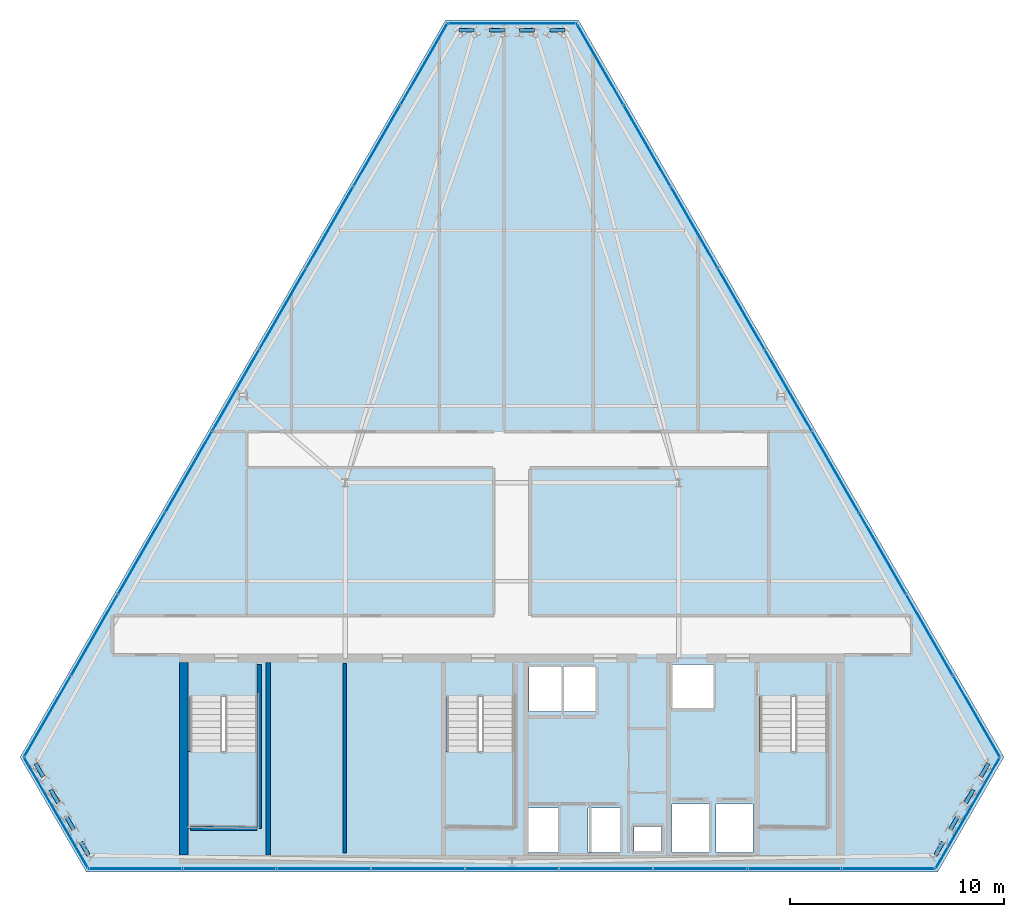
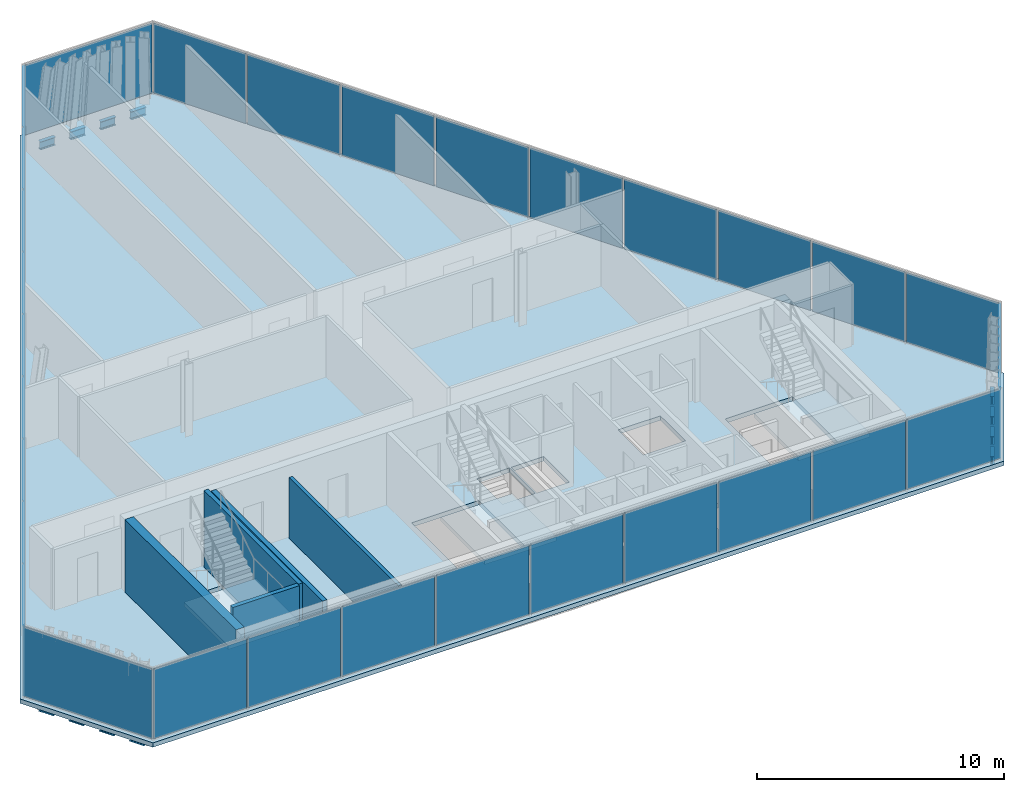
# One storey, part 26 of 32: 30 plates, 12 beams, 5 walls, 4 slabs, 9 elements without a shape of their own.
"""IFC4 building model written with IfcOpenShell, lengths in metres."""

import ifcopenshell
import ifcopenshell.guid

model = None  # the IFC model being written
_history = None  # IfcOwnerHistory: only IFC2X3 demands one
_inside = {}  # id of a spatial element -> (the spatial element, [elements in it])
_under = {}  # id of a project, library or spatial element -> (it, [spatial elements below it])
_declared = {}  # id of a project -> (the project, [libraries it declares])
_typed = {}  # id of a type object -> (the type object, [elements of that type])
_made_of = {}  # id of a material, layer set ... -> (it, [elements and type objects made of it])


def new_model(schema):
    """Start an empty IFC model of exactly this schema.

    Asked for "IFC4X3", IfcOpenShell would pick the latest addendum, in which some entities
    have other attributes; the version numbers below select the first issue.
    IFC2X3 requires an IfcOwnerHistory on every rooted entity: one is made here for all.
    """
    global model, _history
    if schema == "IFC4X3":
        model = ifcopenshell.file(schema_version=(4, 3, 0, 0))
    else:
        model = ifcopenshell.file(schema=schema)
    _inside.clear()
    _under.clear()
    _declared.clear()
    _typed.clear()
    _made_of.clear()
    _history = None
    if model.schema == "IFC2X3":
        org = make("IfcOrganization", Name="unknown")
        user = make(
            "IfcPersonAndOrganization",
            ThePerson=make("IfcPerson", FamilyName="unknown"),
            TheOrganization=org,
        )
        app = make(
            "IfcApplication",
            ApplicationDeveloper=org,
            Version="unknown",
            ApplicationFullName="unknown",
            ApplicationIdentifier="unknown",
        )
        _history = make(
            "IfcOwnerHistory",
            OwningUser=user,
            OwningApplication=app,
            ChangeAction="ADDED",
            CreationDate=0,
        )
    return model


def make(cls, **values):
    """One entity of the class cls with the attributes given. An attribute that is None is left unset."""
    return model.create_entity(
        cls, **{name: value for name, value in values.items() if value is not None}
    )


def rooted(cls, **values):
    """An entity with a GlobalId (a new one), such as an element, a storey or a relation."""
    return make(cls, GlobalId=ifcopenshell.guid.new(), OwnerHistory=_history, **values)


def si_unit(unit_type, name, prefix=None):
    """IfcSIUnit, for example si_unit("LENGTHUNIT", "METRE", prefix="MILLI")."""
    return make("IfcSIUnit", UnitType=unit_type, Prefix=prefix, Name=name)


def assignment(units):
    """IfcUnitAssignment: the units of a project."""
    return None if units is None else make("IfcUnitAssignment", Units=units)


def point(xyz):
    """IfcCartesianPoint."""
    return None if xyz is None else make("IfcCartesianPoint", Coordinates=xyz)


def direction(xyz):
    """IfcDirection."""
    return None if xyz is None else make("IfcDirection", DirectionRatios=xyz)


def frame(location, z_axis=None, x_axis=None):
    """IfcAxis2Placement3D, a coordinate frame: its origin and axes. An axis left out is left unset."""
    return make(
        "IfcAxis2Placement3D",
        Location=point(location),
        Axis=direction(z_axis),
        RefDirection=direction(x_axis),
    )


def frame_2d(location, x_axis=None):
    """IfcAxis2Placement2D, a coordinate frame in the plane: its origin and x axis."""
    return make(
        "IfcAxis2Placement2D", Location=point(location), RefDirection=direction(x_axis)
    )


def origin():
    """The frame at (0, 0, 0) with its axes left unset."""
    return frame((0.0, 0.0, 0.0))


def origin_2d():
    """The frame at (0, 0) in the plane with its x axis left unset."""
    return frame_2d((0.0, 0.0))


def place(relative_to, where):
    """IfcLocalPlacement: puts the frame where relative to a parent placement (None: the world)."""
    return make(
        "IfcLocalPlacement", PlacementRelTo=relative_to, RelativePlacement=where
    )


def context(
    kind, dimensions, precision=None, world=None, true_north=None, identifier=None
):
    """IfcGeometricRepresentationContext, for example the 3D "Model" context."""
    return make(
        "IfcGeometricRepresentationContext",
        ContextIdentifier=identifier,
        ContextType=kind,
        CoordinateSpaceDimension=dimensions,
        Precision=precision,
        WorldCoordinateSystem=world,
        TrueNorth=true_north,
    )


def subcontext(parent, identifier, kind, view, scale=None):
    """IfcGeometricRepresentationSubContext, for example "Body" below "Model"."""
    return make(
        "IfcGeometricRepresentationSubContext",
        ContextIdentifier=identifier,
        ContextType=kind,
        ParentContext=parent,
        TargetScale=scale,
        TargetView=view,
    )


def project(units=None, contexts=None):
    """IfcProject with its units and contexts."""
    return rooted(
        "IfcProject",
        Name="project",
        RepresentationContexts=contexts,
        UnitsInContext=assignment(units),
    )


def spatial(cls, under=None, at=None, **own):
    """A site, building, storey or space (cls), placed at a placement, below another one or the project."""
    s = rooted(cls, ObjectPlacement=at, **own)
    if under is not None:
        _under.setdefault(under.id(), (under, []))[1].append(s)
    return s


def polyline(points):
    """IfcPolyline through the points."""
    return make("IfcPolyline", Points=[point(p) for p in points])


def profile(cls, at=None, kind="AREA", **sizes):
    """A parametric profile (cls). Its sizes go by their IFC names, for example OverallWidth=200.0."""
    return make(cls, ProfileType=kind, Position=at, **sizes)


def rectangle(**sizes):
    """IfcRectangleProfileDef."""
    return profile("IfcRectangleProfileDef", **sizes)


def i_section(**sizes):
    """IfcIShapeProfileDef."""
    return profile("IfcIShapeProfileDef", **sizes)


def outline(outer, holes=None, kind="AREA"):
    """IfcArbitraryClosedProfileDef: a profile drawn as a closed curve; with holes, ...WithVoids."""
    if holes is None:
        return make("IfcArbitraryClosedProfileDef", ProfileType=kind, OuterCurve=outer)
    return make(
        "IfcArbitraryProfileDefWithVoids",
        ProfileType=kind,
        OuterCurve=outer,
        InnerCurves=holes,
    )


def extrude(swept, where, along, depth):
    """IfcExtrudedAreaSolid: the profile swept, set in the frame where, extruded along a direction by depth."""
    return make(
        "IfcExtrudedAreaSolid",
        SweptArea=swept,
        Position=where,
        ExtrudedDirection=direction(along),
        Depth=depth,
    )


def shape(context_of_items, identifier, shape_type, items):
    """IfcShapeRepresentation: the items that make up one representation, for example the "Body"."""
    return make(
        "IfcShapeRepresentation",
        ContextOfItems=context_of_items,
        RepresentationIdentifier=identifier,
        RepresentationType=shape_type,
        Items=items,
    )


def material(Name=None, Category=None):
    """IfcMaterial."""
    return make("IfcMaterial", Name=Name, Category=Category)


def layer(
    of_material, thickness, ventilated=None, Name=None, Category=None, Priority=None
):
    """IfcMaterialLayer: one layer of a wall or slab, of a material (None: an air gap)."""
    return make(
        "IfcMaterialLayer",
        Material=of_material,
        LayerThickness=thickness,
        IsVentilated=ventilated,
        Name=Name,
        Category=Category,
        Priority=Priority,
    )


def layer_set(layers, Name=None):
    """IfcMaterialLayerSet."""
    return make("IfcMaterialLayerSet", MaterialLayers=layers, LayerSetName=Name)


def material_profile(
    of_material, cross_section, Name=None, Category=None, Priority=None
):
    """IfcMaterialProfile: a cross section and its material."""
    return make(
        "IfcMaterialProfile",
        Name=Name,
        Material=of_material,
        Profile=cross_section,
        Priority=Priority,
        Category=Category,
    )


def profile_set(profiles, Name=None, composite=None):
    """IfcMaterialProfileSet."""
    return make(
        "IfcMaterialProfileSet",
        Name=Name,
        MaterialProfiles=profiles,
        CompositeProfile=composite,
    )


def made_of(thing, what):
    """Note that an element or type object is made of a material, layer set ...; save() writes the relation."""
    if what is not None:
        _made_of.setdefault(what.id(), (what, []))[1].append(thing)
    return thing


def type_object(cls, material=None, **own):
    """A type object (cls), such as IfcWallType, which elements share."""
    return made_of(rooted(cls, **own), material)


def element(
    cls,
    number,
    at=None,
    inside=None,
    cuts=None,
    type_object=None,
    material=None,
    context=None,
    identifier="Body",
    shape_type=None,
    held_by="IfcProductDefinitionShape",
    body=None,
    shapes=None,
    **own,
):
    """One element of the class cls, such as IfcWall. Its Tag is "e" and its number.

    at: its placement. inside: the storey or other place that contains it. cuts: it is an
    opening in that element (IfcRelVoidsElement). A single representation is given by context,
    identifier, shape_type and body (its items); several are given by shapes. held_by: the class
    of the entity that holds the representations. save() writes the other relations.
    """
    e = rooted(cls, Tag="e%d" % number, ObjectPlacement=at, **own)
    if body is not None:
        shapes = [shape(context, identifier, shape_type, body)]
    if shapes is not None:
        e.Representation = make(held_by, Representations=shapes)
    if inside is not None:
        _inside.setdefault(inside.id(), (inside, []))[1].append(e)
    if cuts is not None:
        rooted(
            "IfcRelVoidsElement", RelatingBuildingElement=cuts, RelatedOpeningElement=e
        )
    if type_object is not None:
        _typed.setdefault(type_object.id(), (type_object, []))[1].append(e)
    return made_of(e, material)


def aggregate(whole, parts):
    """IfcRelAggregates: a whole, such as a stair, and the parts it consists of."""
    return rooted("IfcRelAggregates", RelatingObject=whole, RelatedObjects=parts)


def save(model, path):
    """Write the relations noted so far, then the file.

    IfcRelAggregates (storeys below a building ...), IfcRelContainedInSpatialStructure (elements
    in a storey), IfcRelDefinesByType, IfcRelAssociatesMaterial and IfcRelDeclares: one each for
    every whole, place, type object, material and project.
    """
    for whole, parts in _under.values():
        aggregate(whole, parts)
    for where, things in _inside.values():
        rooted(
            "IfcRelContainedInSpatialStructure",
            RelatedElements=things,
            RelatingStructure=where,
        )
    for kind, things in _typed.values():
        rooted("IfcRelDefinesByType", RelatedObjects=things, RelatingType=kind)
    for what, things in _made_of.values():
        rooted("IfcRelAssociatesMaterial", RelatedObjects=things, RelatingMaterial=what)
    for by, libraries in _declared.values():
        rooted("IfcRelDeclares", RelatingContext=by, RelatedDefinitions=libraries)
    model.write(path)


model = new_model("IFC4")

# Units and contexts
model_context = context("Model", 3, precision=1e-05, world=origin(), true_north=direction((0.0, 1.0)))
body_context = subcontext(model_context, "Body", "Model", "MODEL_VIEW")
ifc_project = project(units=[si_unit("LENGTHUNIT", "METRE"), si_unit("AREAUNIT", "SQUARE_METRE"), si_unit("VOLUMEUNIT", "CUBIC_METRE"), si_unit("PLANEANGLEUNIT", "RADIAN"), si_unit("MASSUNIT", "GRAM", prefix="KILO")], contexts=[model_context])

# Site, building, storey
site_placement = place(None, origin())
site = spatial("IfcSite", under=ifc_project, at=site_placement, CompositionType="ELEMENT")
building_placement = place(site_placement, origin())
building = spatial("IfcBuilding", under=site, at=building_placement, Name="Ndaravel Arena Tower", CompositionType="ELEMENT")
storey_placement = place(building_placement, frame((0.0, 0.0, 259.800048828125)))
storey = spatial("IfcBuildingStorey", under=building, at=storey_placement, Name="L63", CompositionType="ELEMENT", Elevation=259.800048828125)

# Beams
ifc_material_1 = material(Name="Steel S355", Category="steel")
ifc_material_profile = material_profile(ifc_material_1, i_section(OverallWidth=0.179931640625, OverallDepth=0.39990234375, WebThickness=0.008544921875, FlangeThickness=0.013427734375, FilletRadius=0.02099609375, at=origin_2d()), Name="IPE 400")
ifc_profile_set = profile_set([ifc_material_profile], Name="Steel S355")
beam_type = type_object("IfcBeamType", Name="BM-SPAN-IPE400", PredefinedType="SPANDREL", material=ifc_profile_set)
for number, where, z_axis, x_axis, name in (
    (1, (61.794921875, 5.7861328125, -0.420166015625), (0.500110831701, 0.865961405616, 0.0), (-0.865961405616, 0.500110831701, 0.0), "L63 Perimeter Spandrel Beam SP-02"),
    (2, (62.502197265625, 7.01123046875, -0.420166015625), (0.499851946404, 0.866110865696, 0.0), (-0.866110865696, 0.499851946404, 0.0), "L63 Perimeter Spandrel Beam SP-04"),
    (3, (63.20947265625, 8.236083984375, -0.420166015625), (0.499851946404, 0.866110865696, 0.0), (-0.866110865696, 0.499851946404, 0.0), "L63 Perimeter Spandrel Beam SP-06"),
):
    element("IfcBeam", number, at=place(storey_placement, frame(where, z_axis=z_axis, x_axis=x_axis)), inside=storey, type_object=beam_type, Name=name, PredefinedType="SPANDREL", context=body_context, shape_type="SweptSolid", body=[
        extrude(i_section(OverallWidth=0.179931640625, OverallDepth=0.39990234375, WebThickness=0.008544921875, FlangeThickness=0.013427734375, FilletRadius=0.02099609375, at=origin_2d()), origin(), (0.0, 0.0, 1.0), 0.707275390625),
    ])
beam_1_placement = place(storey_placement, frame((63.916748046875, 9.461181640625, -0.420166015625), z_axis=(0.500001430823, 0.866024577697, 0.0), x_axis=(-0.866024577697, 0.500001430823, 0.0)))
element("IfcBeam", 4, at=beam_1_placement, inside=storey, type_object=beam_type, Name="L63 Perimeter Spandrel Beam SP-08", PredefinedType="SPANDREL", context=body_context, shape_type="SweptSolid", body=[
    extrude(i_section(OverallWidth=0.179931640625, OverallDepth=0.39990234375, WebThickness=0.008544921875, FlangeThickness=0.013427734375, FilletRadius=0.02099609375, at=origin_2d()), origin(), (0.0, 0.0, 1.0), 0.70703125),
])
for number, where, z_axis, x_axis, name in (
    (5, (44.475341796875, 44.359619140625, -0.420166015625), (-1.0, 0.0, 0.0), (0.0, -1.0, 0.0), "L63 Perimeter Spandrel Beam SP-11"),
    (6, (43.060791015625, 44.359619140625, -0.420166015625), (-1.0, 0.0, 0.0), (0.0, -1.0, 0.0), "L63 Perimeter Spandrel Beam SP-13"),
    (7, (41.646484375, 44.359619140625, -0.420166015625), (-1.0, 0.0, 0.0), (0.0, -1.0, 0.0), "L63 Perimeter Spandrel Beam SP-15"),
    (8, (40.23193359375, 44.359619140625, -0.420166015625), (-1.0, 0.0, 0.0), (0.0, -1.0, 0.0), "L63 Perimeter Spandrel Beam SP-17"),
):
    element("IfcBeam", number, at=place(storey_placement, frame(where, z_axis=z_axis, x_axis=x_axis)), inside=storey, type_object=beam_type, Name=name, PredefinedType="SPANDREL", context=body_context, shape_type="SweptSolid", body=[
        extrude(i_section(OverallWidth=0.179931640625, OverallDepth=0.39990234375, WebThickness=0.008544921875, FlangeThickness=0.013427734375, FilletRadius=0.02099609375, at=origin_2d()), origin(), (0.0, 0.0, 1.0), 0.707275390625),
    ])
beam_2_placement = place(storey_placement, frame((19.729736328125, 10.073486328125, -0.420166015625), z_axis=(0.500001430823, -0.866024577697, 0.0), x_axis=(0.866024577697, 0.500001430823, 0.0)))
element("IfcBeam", 9, at=beam_2_placement, inside=storey, type_object=beam_type, Name="L63 Perimeter Spandrel Beam SP-20", PredefinedType="SPANDREL", context=body_context, shape_type="SweptSolid", body=[
    extrude(i_section(OverallWidth=0.179931640625, OverallDepth=0.39990234375, WebThickness=0.008544921875, FlangeThickness=0.013427734375, FilletRadius=0.02099609375, at=origin_2d()), origin(), (0.0, 0.0, 1.0), 0.70703125),
])
for number, where, z_axis, x_axis, name in (
    (10, (20.43701171875, 8.8486328125, -0.420166015625), (0.499851946404, -0.866110865696, 0.0), (0.866110865696, 0.499851946404, 0.0), "L63 Perimeter Spandrel Beam SP-22"),
    (11, (21.144287109375, 7.623779296875, -0.420166015625), (0.499851946404, -0.866110865696, 0.0), (0.866110865696, 0.499851946404, 0.0), "L63 Perimeter Spandrel Beam SP-24"),
    (12, (21.851318359375, 6.398681640625, -0.420166015625), (0.500110831701, -0.865961405616, 0.0), (0.865961405616, 0.500110831701, 0.0), "L63 Perimeter Spandrel Beam SP-26"),
):
    element("IfcBeam", number, at=place(storey_placement, frame(where, z_axis=z_axis, x_axis=x_axis)), inside=storey, type_object=beam_type, Name=name, PredefinedType="SPANDREL", context=body_context, shape_type="SweptSolid", body=[
        extrude(i_section(OverallWidth=0.179931640625, OverallDepth=0.39990234375, WebThickness=0.008544921875, FlangeThickness=0.013427734375, FilletRadius=0.02099609375, at=origin_2d()), origin(), (0.0, 0.0, 1.0), 0.707275390625),
    ])

# Curtain wall, plate
ifc_material_2 = material(Name="Aluminium", Category="aluminium")
ifc_layer_1 = layer(ifc_material_2, 0.179931640625)
ifc_layer_set_1 = layer_set([ifc_layer_1], Name="Aluminium")
curtain_wall_type_1 = type_object("IfcCurtainWallType", Name="CW-SYS-01", PredefinedType="NOTDEFINED", material=ifc_layer_set_1)
curtain_wall_1_placement = place(storey_placement, origin())
curtain_wall_1 = element("IfcCurtainWall", 13, at=curtain_wall_1_placement, inside=storey, type_object=curtain_wall_type_1, Name="L63 Faceted Crystal Curtain Wall CW-L63-E02", PredefinedType="NOTDEFINED")
ifc_material_3 = material(Name="Glazing", Category="glass")
ifc_layer_2 = layer(ifc_material_3, 0.031982421875)
ifc_layer_set_2 = layer_set([ifc_layer_2], Name="Glazing")
plate_type_1 = type_object("IfcPlateType", Name="PLT-GLZ-FRIT35", PredefinedType="CURTAIN_PANEL", material=ifc_layer_set_2)
plate_1_placement = place(storey_placement, frame((63.309814453125, 7.77001953125, 0.06005859375), z_axis=(0.0, 0.0, 1.0), x_axis=(0.5, 0.866025403784, 0.0)))
plate_1 = element("IfcPlate", 14, at=plate_1_placement, type_object=plate_type_1, Name="CW-L63-E02 Vision Glass Panel 01", PredefinedType="CURTAIN_PANEL", context=body_context, shape_type="SweptSolid", body=[
    extrude(rectangle(XDim=5.947265625, YDim=0.035888671875, at=origin_2d()), origin(), (0.0, 0.0, 1.0), 3.4599609375),
])
aggregate(curtain_wall_1, [plate_1])

curtain_wall_2_placement = place(storey_placement, origin())
curtain_wall_2 = element("IfcCurtainWall", 15, at=curtain_wall_2_placement, inside=storey, type_object=curtain_wall_type_1, Name="L63 Faceted Crystal Curtain Wall CW-L63-E04", PredefinedType="NOTDEFINED")
plate_2_placement = place(storey_placement, frame((42.0, 44.679443359375, 0.06005859375), z_axis=(0.0, 0.0, 1.0), x_axis=(-1.0, 0.0, 0.0)))
plate_2 = element("IfcPlate", 16, at=plate_2_placement, type_object=plate_type_1, Name="CW-L63-E04 Vision Glass Panel 01", PredefinedType="CURTAIN_PANEL", context=body_context, shape_type="SweptSolid", body=[
    extrude(rectangle(XDim=5.947509765625, YDim=0.035888671875, at=origin_2d()), origin(), (0.0, 0.0, 1.0), 3.4599609375),
])
aggregate(curtain_wall_2, [plate_2])

ifc_material_4 = material(Name="Aluminium", Category="aluminium")
ifc_layer_3 = layer(ifc_material_4, 0.179931640625)
ifc_layer_set_3 = layer_set([ifc_layer_3], Name="Aluminium")
curtain_wall_type_2 = type_object("IfcCurtainWallType", Name="CW-SYS-02", PredefinedType="NOTDEFINED", material=ifc_layer_set_3)
curtain_wall_3_placement = place(storey_placement, origin())
curtain_wall_3 = element("IfcCurtainWall", 17, at=curtain_wall_3_placement, inside=storey, type_object=curtain_wall_type_2, Name="L63 Faceted Crystal Curtain Wall CW-L63-E06", PredefinedType="NOTDEFINED")
ifc_material_5 = material(Name="Glazing", Category="glass")
ifc_layer_4 = layer(ifc_material_5, 0.035888671875)
ifc_layer_set_4 = layer_set([ifc_layer_4], Name="Glazing")
plate_type_2 = type_object("IfcPlateType", Name="PLT-GLZ-FRIT55", PredefinedType="CURTAIN_PANEL", material=ifc_layer_set_4)
plate_3_placement = place(storey_placement, frame((20.690185546875, 7.77001953125, 0.06005859375), z_axis=(0.0, 0.0, 1.0), x_axis=(0.5, -0.866025403784, 0.0)))
plate_3 = element("IfcPlate", 18, at=plate_3_placement, type_object=plate_type_2, Name="CW-L63-E06 Vision Glass Panel 01", PredefinedType="CURTAIN_PANEL", context=body_context, shape_type="SweptSolid", body=[
    extrude(rectangle(XDim=5.947265625, YDim=0.035888671875, at=origin_2d()), origin(), (0.0, 0.0, 1.0), 3.4599609375),
])
aggregate(curtain_wall_3, [plate_3])

# Curtain wall, plates
ifc_material_6 = material(Name="Aluminium", Category="aluminium")
ifc_layer_5 = layer(ifc_material_6, 0.179931640625)
ifc_layer_set_5 = layer_set([ifc_layer_5], Name="Aluminium")
curtain_wall_type_3 = type_object("IfcCurtainWallType", Name="CW-SYS-03", PredefinedType="NOTDEFINED", material=ifc_layer_set_5)
curtain_wall_4_placement = place(storey_placement, origin())
curtain_wall_4 = element("IfcCurtainWall", 19, at=curtain_wall_4_placement, inside=storey, type_object=curtain_wall_type_3, Name="L63 Faceted Crystal Curtain Wall CW-L63-E01", PredefinedType="NOTDEFINED")
ifc_material_7 = material(Name="Glazing", Category="glass")
ifc_layer_6 = layer(ifc_material_7, 0.0400390625)
ifc_layer_set_6 = layer_set([ifc_layer_6], Name="Glazing")
plate_type_3 = type_object("IfcPlateType", Name="PLT-GLZ-LOWIRON", PredefinedType="CURTAIN_PANEL", material=ifc_layer_set_6)
plate_4_placement = place(storey_placement, frame((24.3974609375, 5.159912109375, 0.06005859375), z_axis=(0.0, 0.0, 1.0), x_axis=(1.0, 0.0, 0.0)))
plate_4 = element("IfcPlate", 20, at=plate_4_placement, type_object=plate_type_3, Name="CW-L63-E01 Vision Glass Panel 01", PredefinedType="CURTAIN_PANEL", context=body_context, shape_type="SweptSolid", body=[
    extrude(rectangle(XDim=4.320556640625, YDim=0.035888671875, at=origin_2d()), origin(), (0.0, 0.0, 1.0), 3.4599609375),
])
plate_5_placement = place(storey_placement, frame((28.798095703125, 5.159912109375, 0.06005859375), z_axis=(0.0, 0.0, 1.0), x_axis=(1.0, 0.0, 0.0)))
plate_5 = element("IfcPlate", 21, at=plate_5_placement, type_object=plate_type_3, Name="CW-L63-E01 Vision Glass Panel 02", PredefinedType="CURTAIN_PANEL", context=body_context, shape_type="SweptSolid", body=[
    extrude(rectangle(XDim=4.320556640625, YDim=0.035888671875, at=origin_2d()), origin(), (0.0, 0.0, 1.0), 3.4599609375),
])
plate_6_placement = place(storey_placement, frame((33.19873046875, 5.159912109375, 0.06005859375), z_axis=(0.0, 0.0, 1.0), x_axis=(1.0, 0.0, 0.0)))
plate_6 = element("IfcPlate", 22, at=plate_6_placement, type_object=plate_type_3, Name="CW-L63-E01 Vision Glass Panel 03", PredefinedType="CURTAIN_PANEL", context=body_context, shape_type="SweptSolid", body=[
    extrude(rectangle(XDim=4.320556640625, YDim=0.035888671875, at=origin_2d()), origin(), (0.0, 0.0, 1.0), 3.4599609375),
])
plate_7_placement = place(storey_placement, frame((37.599365234375, 5.159912109375, 0.06005859375), z_axis=(0.0, 0.0, 1.0), x_axis=(1.0, 0.0, 0.0)))
plate_7 = element("IfcPlate", 23, at=plate_7_placement, type_object=plate_type_3, Name="CW-L63-E01 Vision Glass Panel 04", PredefinedType="CURTAIN_PANEL", context=body_context, shape_type="SweptSolid", body=[
    extrude(rectangle(XDim=4.320556640625, YDim=0.035888671875, at=origin_2d()), origin(), (0.0, 0.0, 1.0), 3.4599609375),
])
plate_8_placement = place(storey_placement, frame((42.0, 5.159912109375, 0.06005859375), z_axis=(0.0, 0.0, 1.0), x_axis=(1.0, 0.0, 0.0)))
plate_8 = element("IfcPlate", 24, at=plate_8_placement, type_object=plate_type_3, Name="CW-L63-E01 Vision Glass Panel 05", PredefinedType="CURTAIN_PANEL", context=body_context, shape_type="SweptSolid", body=[
    extrude(rectangle(XDim=4.320556640625, YDim=0.035888671875, at=origin_2d()), origin(), (0.0, 0.0, 1.0), 3.4599609375),
])
plate_9_placement = place(storey_placement, frame((46.400634765625, 5.159912109375, 0.06005859375), z_axis=(0.0, 0.0, 1.0), x_axis=(1.0, 0.0, 0.0)))
plate_9 = element("IfcPlate", 25, at=plate_9_placement, type_object=plate_type_3, Name="CW-L63-E01 Vision Glass Panel 06", PredefinedType="CURTAIN_PANEL", context=body_context, shape_type="SweptSolid", body=[
    extrude(rectangle(XDim=4.320556640625, YDim=0.035888671875, at=origin_2d()), origin(), (0.0, 0.0, 1.0), 3.4599609375),
])
plate_10_placement = place(storey_placement, frame((50.80126953125, 5.159912109375, 0.06005859375), z_axis=(0.0, 0.0, 1.0), x_axis=(1.0, 0.0, 0.0)))
plate_10 = element("IfcPlate", 26, at=plate_10_placement, type_object=plate_type_3, Name="CW-L63-E01 Vision Glass Panel 07", PredefinedType="CURTAIN_PANEL", context=body_context, shape_type="SweptSolid", body=[
    extrude(rectangle(XDim=4.320556640625, YDim=0.035888671875, at=origin_2d()), origin(), (0.0, 0.0, 1.0), 3.4599609375),
])
plate_11_placement = place(storey_placement, frame((55.201904296875, 5.159912109375, 0.06005859375), z_axis=(0.0, 0.0, 1.0), x_axis=(1.0, 0.0, 0.0)))
plate_11 = element("IfcPlate", 27, at=plate_11_placement, type_object=plate_type_3, Name="CW-L63-E01 Vision Glass Panel 08", PredefinedType="CURTAIN_PANEL", context=body_context, shape_type="SweptSolid", body=[
    extrude(rectangle(XDim=4.320556640625, YDim=0.035888671875, at=origin_2d()), origin(), (0.0, 0.0, 1.0), 3.4599609375),
])
plate_12_placement = place(storey_placement, frame((59.6025390625, 5.159912109375, 0.06005859375), z_axis=(0.0, 0.0, 1.0), x_axis=(1.0, 0.0, 0.0)))
plate_12 = element("IfcPlate", 28, at=plate_12_placement, type_object=plate_type_3, Name="CW-L63-E01 Vision Glass Panel 09", PredefinedType="CURTAIN_PANEL", context=body_context, shape_type="SweptSolid", body=[
    extrude(rectangle(XDim=4.320556640625, YDim=0.035888671875, at=origin_2d()), origin(), (0.0, 0.0, 1.0), 3.4599609375),
])
aggregate(curtain_wall_4, [plate_4, plate_5, plate_6, plate_7, plate_8, plate_9, plate_10, plate_11, plate_12])

curtain_wall_5_placement = place(storey_placement, origin())
curtain_wall_5 = element("IfcCurtainWall", 29, at=curtain_wall_5_placement, inside=storey, type_object=curtain_wall_type_3, Name="L63 Faceted Crystal Curtain Wall CW-L63-E03", PredefinedType="NOTDEFINED")
plate_13_placement = place(storey_placement, frame((63.71630859375, 12.285400390625, 0.06005859375), z_axis=(0.0, 0.0, 1.0), x_axis=(-0.5, 0.866025403784, 0.0)))
plate_13 = element("IfcPlate", 30, at=plate_13_placement, type_object=plate_type_3, Name="CW-L63-E03 Vision Glass Panel 01", PredefinedType="CURTAIN_PANEL", context=body_context, shape_type="SweptSolid", body=[
    extrude(rectangle(XDim=4.32080078125, YDim=0.035888671875, at=origin_2d()), origin(), (0.0, 0.0, 1.0), 3.4599609375),
])
plate_14_placement = place(storey_placement, frame((61.51611328125, 16.096435546875, 0.06005859375), z_axis=(0.0, 0.0, 1.0), x_axis=(-0.5, 0.866025403784, 0.0)))
plate_14 = element("IfcPlate", 31, at=plate_14_placement, type_object=plate_type_3, Name="CW-L63-E03 Vision Glass Panel 02", PredefinedType="CURTAIN_PANEL", context=body_context, shape_type="SweptSolid", body=[
    extrude(rectangle(XDim=4.32080078125, YDim=0.035888671875, at=origin_2d()), origin(), (0.0, 0.0, 1.0), 3.4599609375),
])
plate_15_placement = place(storey_placement, frame((59.31591796875, 19.907470703125, 0.06005859375), z_axis=(0.0, 0.0, 1.0), x_axis=(-0.5, 0.866025403784, 0.0)))
plate_15 = element("IfcPlate", 32, at=plate_15_placement, type_object=plate_type_3, Name="CW-L63-E03 Vision Glass Panel 03", PredefinedType="CURTAIN_PANEL", context=body_context, shape_type="SweptSolid", body=[
    extrude(rectangle(XDim=4.32080078125, YDim=0.035888671875, at=origin_2d()), origin(), (0.0, 0.0, 1.0), 3.4599609375),
])
plate_16_placement = place(storey_placement, frame((57.115478515625, 23.718505859375, 0.06005859375), z_axis=(0.0, 0.0, 1.0), x_axis=(-0.5, 0.866025403784, 0.0)))
plate_16 = element("IfcPlate", 33, at=plate_16_placement, type_object=plate_type_3, Name="CW-L63-E03 Vision Glass Panel 04", PredefinedType="CURTAIN_PANEL", context=body_context, shape_type="SweptSolid", body=[
    extrude(rectangle(XDim=4.32080078125, YDim=0.035888671875, at=origin_2d()), origin(), (0.0, 0.0, 1.0), 3.4599609375),
])
plate_17_placement = place(storey_placement, frame((54.9150390625, 27.52978515625, 0.06005859375), z_axis=(0.0, 0.0, 1.0), x_axis=(-0.5, 0.866025403784, 0.0)))
plate_17 = element("IfcPlate", 34, at=plate_17_placement, type_object=plate_type_3, Name="CW-L63-E03 Vision Glass Panel 05", PredefinedType="CURTAIN_PANEL", context=body_context, shape_type="SweptSolid", body=[
    extrude(rectangle(XDim=4.32080078125, YDim=0.035888671875, at=origin_2d()), origin(), (0.0, 0.0, 1.0), 3.4599609375),
])
plate_18_placement = place(storey_placement, frame((52.71484375, 31.3408203125, 0.06005859375), z_axis=(0.0, 0.0, 1.0), x_axis=(-0.5, 0.866025403784, 0.0)))
plate_18 = element("IfcPlate", 35, at=plate_18_placement, type_object=plate_type_3, Name="CW-L63-E03 Vision Glass Panel 06", PredefinedType="CURTAIN_PANEL", context=body_context, shape_type="SweptSolid", body=[
    extrude(rectangle(XDim=4.32080078125, YDim=0.035888671875, at=origin_2d()), origin(), (0.0, 0.0, 1.0), 3.4599609375),
])
plate_19_placement = place(storey_placement, frame((50.514404296875, 35.15185546875, 0.06005859375), z_axis=(0.0, 0.0, 1.0), x_axis=(-0.5, 0.866025403784, 0.0)))
plate_19 = element("IfcPlate", 36, at=plate_19_placement, type_object=plate_type_3, Name="CW-L63-E03 Vision Glass Panel 07", PredefinedType="CURTAIN_PANEL", context=body_context, shape_type="SweptSolid", body=[
    extrude(rectangle(XDim=4.32080078125, YDim=0.035888671875, at=origin_2d()), origin(), (0.0, 0.0, 1.0), 3.4599609375),
])
plate_20_placement = place(storey_placement, frame((48.314208984375, 38.962890625, 0.06005859375), z_axis=(0.0, 0.0, 1.0), x_axis=(-0.5, 0.866025403784, 0.0)))
plate_20 = element("IfcPlate", 37, at=plate_20_placement, type_object=plate_type_3, Name="CW-L63-E03 Vision Glass Panel 08", PredefinedType="CURTAIN_PANEL", context=body_context, shape_type="SweptSolid", body=[
    extrude(rectangle(XDim=4.32080078125, YDim=0.035888671875, at=origin_2d()), origin(), (0.0, 0.0, 1.0), 3.4599609375),
])
plate_21_placement = place(storey_placement, frame((46.114013671875, 42.77392578125, 0.06005859375), z_axis=(0.0, 0.0, 1.0), x_axis=(-0.5, 0.866025403784, 0.0)))
plate_21 = element("IfcPlate", 38, at=plate_21_placement, type_object=plate_type_3, Name="CW-L63-E03 Vision Glass Panel 09", PredefinedType="CURTAIN_PANEL", context=body_context, shape_type="SweptSolid", body=[
    extrude(rectangle(XDim=4.32080078125, YDim=0.035888671875, at=origin_2d()), origin(), (0.0, 0.0, 1.0), 3.4599609375),
])
aggregate(curtain_wall_5, [plate_13, plate_14, plate_15, plate_16, plate_17, plate_18, plate_19, plate_20, plate_21])

curtain_wall_6_placement = place(storey_placement, origin())
curtain_wall_6 = element("IfcCurtainWall", 39, at=curtain_wall_6_placement, inside=storey, type_object=curtain_wall_type_3, Name="L63 Faceted Crystal Curtain Wall CW-L63-E05", PredefinedType="NOTDEFINED")
plate_22_placement = place(storey_placement, frame((37.885986328125, 42.77392578125, 0.06005859375), z_axis=(0.0, 0.0, 1.0), x_axis=(-0.5, -0.866025403784, 0.0)))
plate_22 = element("IfcPlate", 40, at=plate_22_placement, type_object=plate_type_3, Name="CW-L63-E05 Vision Glass Panel 01", PredefinedType="CURTAIN_PANEL", context=body_context, shape_type="SweptSolid", body=[
    extrude(rectangle(XDim=4.32080078125, YDim=0.035888671875, at=origin_2d()), origin(), (0.0, 0.0, 1.0), 3.4599609375),
])
plate_23_placement = place(storey_placement, frame((35.685791015625, 38.962890625, 0.06005859375), z_axis=(0.0, 0.0, 1.0), x_axis=(-0.5, -0.866025403784, 0.0)))
plate_23 = element("IfcPlate", 41, at=plate_23_placement, type_object=plate_type_3, Name="CW-L63-E05 Vision Glass Panel 02", PredefinedType="CURTAIN_PANEL", context=body_context, shape_type="SweptSolid", body=[
    extrude(rectangle(XDim=4.32080078125, YDim=0.035888671875, at=origin_2d()), origin(), (0.0, 0.0, 1.0), 3.4599609375),
])
plate_24_placement = place(storey_placement, frame((33.485595703125, 35.15185546875, 0.06005859375), z_axis=(0.0, 0.0, 1.0), x_axis=(-0.5, -0.866025403784, 0.0)))
plate_24 = element("IfcPlate", 42, at=plate_24_placement, type_object=plate_type_3, Name="CW-L63-E05 Vision Glass Panel 03", PredefinedType="CURTAIN_PANEL", context=body_context, shape_type="SweptSolid", body=[
    extrude(rectangle(XDim=4.32080078125, YDim=0.035888671875, at=origin_2d()), origin(), (0.0, 0.0, 1.0), 3.4599609375),
])
plate_25_placement = place(storey_placement, frame((31.28515625, 31.3408203125, 0.06005859375), z_axis=(0.0, 0.0, 1.0), x_axis=(-0.5, -0.866025403784, 0.0)))
plate_25 = element("IfcPlate", 43, at=plate_25_placement, type_object=plate_type_3, Name="CW-L63-E05 Vision Glass Panel 04", PredefinedType="CURTAIN_PANEL", context=body_context, shape_type="SweptSolid", body=[
    extrude(rectangle(XDim=4.32080078125, YDim=0.035888671875, at=origin_2d()), origin(), (0.0, 0.0, 1.0), 3.4599609375),
])
plate_26_placement = place(storey_placement, frame((29.084716796875, 27.529541015625, 0.06005859375), z_axis=(0.0, 0.0, 1.0), x_axis=(-0.5, -0.866025403784, 0.0)))
plate_26 = element("IfcPlate", 44, at=plate_26_placement, type_object=plate_type_3, Name="CW-L63-E05 Vision Glass Panel 05", PredefinedType="CURTAIN_PANEL", context=body_context, shape_type="SweptSolid", body=[
    extrude(rectangle(XDim=4.32080078125, YDim=0.035888671875, at=origin_2d()), origin(), (0.0, 0.0, 1.0), 3.4599609375),
])
plate_27_placement = place(storey_placement, frame((26.884521484375, 23.718505859375, 0.06005859375), z_axis=(0.0, 0.0, 1.0), x_axis=(-0.5, -0.866025403784, 0.0)))
plate_27 = element("IfcPlate", 45, at=plate_27_placement, type_object=plate_type_3, Name="CW-L63-E05 Vision Glass Panel 06", PredefinedType="CURTAIN_PANEL", context=body_context, shape_type="SweptSolid", body=[
    extrude(rectangle(XDim=4.32080078125, YDim=0.035888671875, at=origin_2d()), origin(), (0.0, 0.0, 1.0), 3.4599609375),
])
plate_28_placement = place(storey_placement, frame((24.68408203125, 19.907470703125, 0.06005859375), z_axis=(0.0, 0.0, 1.0), x_axis=(-0.5, -0.866025403784, 0.0)))
plate_28 = element("IfcPlate", 46, at=plate_28_placement, type_object=plate_type_3, Name="CW-L63-E05 Vision Glass Panel 07", PredefinedType="CURTAIN_PANEL", context=body_context, shape_type="SweptSolid", body=[
    extrude(rectangle(XDim=4.32080078125, YDim=0.035888671875, at=origin_2d()), origin(), (0.0, 0.0, 1.0), 3.4599609375),
])
plate_29_placement = place(storey_placement, frame((22.48388671875, 16.096435546875, 0.06005859375), z_axis=(0.0, 0.0, 1.0), x_axis=(-0.5, -0.866025403784, 0.0)))
plate_29 = element("IfcPlate", 47, at=plate_29_placement, type_object=plate_type_3, Name="CW-L63-E05 Vision Glass Panel 08", PredefinedType="CURTAIN_PANEL", context=body_context, shape_type="SweptSolid", body=[
    extrude(rectangle(XDim=4.32080078125, YDim=0.035888671875, at=origin_2d()), origin(), (0.0, 0.0, 1.0), 3.4599609375),
])
plate_30_placement = place(storey_placement, frame((20.28369140625, 12.285400390625, 0.06005859375), z_axis=(0.0, 0.0, 1.0), x_axis=(-0.5, -0.866025403784, 0.0)))
plate_30 = element("IfcPlate", 48, at=plate_30_placement, type_object=plate_type_3, Name="CW-L63-E05 Vision Glass Panel 09", PredefinedType="CURTAIN_PANEL", context=body_context, shape_type="SweptSolid", body=[
    extrude(rectangle(XDim=4.32080078125, YDim=0.035888671875, at=origin_2d()), origin(), (0.0, 0.0, 1.0), 3.4599609375),
])
aggregate(curtain_wall_6, [plate_22, plate_23, plate_24, plate_25, plate_26, plate_27, plate_28, plate_29, plate_30])

# Stair, slab
ifc_material_8 = material(Name="Concrete C40/50", Category="concrete")
stair_type = type_object("IfcStairType", Name="STAIR-CORE-HT", PredefinedType="HALF_TURN_STAIR", material=ifc_material_8)
stair_1_placement = place(storey_placement, origin())
stair_1 = element("IfcStair", 49, at=stair_1_placement, inside=storey, type_object=stair_type, Name="L63 ST-1", PredefinedType="HALF_TURN_STAIR")
ifc_material_9 = material(Name="Concrete C40/50", Category="concrete")
ifc_layer_7 = layer(ifc_material_9, 0.199951171875)
ifc_layer_set_7 = layer_set([ifc_layer_7], Name="Concrete C40/50")
slab_type_1 = type_object("IfcSlabType", Name="SLAB-STAIR-LANDING", PredefinedType="LANDING", material=ifc_layer_set_7)
slab_1_placement = place(storey_placement, frame((0.0, 0.0, 1.699951171875)))
slab_1 = element("IfcSlab", 50, at=slab_1_placement, type_object=slab_type_1, Name="ST-1 landing 1", PredefinedType="LANDING", context=body_context, shape_type="SweptSolid", body=[
    extrude(outline(polyline([(26.81005859375, 10.6298828125), (26.81005859375, 7.070068359375), (30.169921875, 7.070068359375), (30.169921875, 10.6298828125), (26.81005859375, 10.6298828125)])), origin(), (0.0, 0.0, 1.0), 0.199951171875),
])
aggregate(stair_1, [slab_1])

stair_2_placement = place(storey_placement, origin())
stair_2 = element("IfcStair", 51, at=stair_2_placement, inside=storey, type_object=stair_type, Name="L63 ST-2", PredefinedType="HALF_TURN_STAIR")
slab_2_placement = place(storey_placement, frame((0.0, 0.0, 1.699951171875)))
slab_2 = element("IfcSlab", 52, at=slab_2_placement, type_object=slab_type_1, Name="ST-2 landing 1", PredefinedType="LANDING", context=body_context, shape_type="SweptSolid", body=[
    extrude(outline(polyline([(38.81005859375, 10.6298828125), (38.81005859375, 7.070068359375), (42.169921875, 7.070068359375), (42.169921875, 10.6298828125), (38.81005859375, 10.6298828125)])), origin(), (0.0, 0.0, 1.0), 0.199951171875),
])
aggregate(stair_2, [slab_2])

stair_3_placement = place(storey_placement, origin())
stair_3 = element("IfcStair", 53, at=stair_3_placement, inside=storey, type_object=stair_type, Name="L63 ST-3", PredefinedType="HALF_TURN_STAIR")
slab_3_placement = place(storey_placement, frame((0.0, 0.0, 1.699951171875)))
slab_3 = element("IfcSlab", 54, at=slab_3_placement, type_object=slab_type_1, Name="ST-3 landing 1", PredefinedType="LANDING", context=body_context, shape_type="SweptSolid", body=[
    extrude(outline(polyline([(53.4599609375, 10.6298828125), (53.4599609375, 7.070068359375), (56.820068359375, 7.070068359375), (56.820068359375, 10.6298828125), (53.4599609375, 10.6298828125)])), origin(), (0.0, 0.0, 1.0), 0.199951171875),
])
aggregate(stair_3, [slab_3])

# Slab
ifc_material_10 = material(Name="Concrete C40/50", Category="concrete")
ifc_layer_8 = layer(ifc_material_10, 0.219970703125)
ifc_layer_set_8 = layer_set([ifc_layer_8], Name="Concrete C40/50")
slab_type_2 = type_object("IfcSlabType", Name="SLAB-TWR-220", PredefinedType="FLOOR", material=ifc_layer_set_8)
slab_4_placement = place(storey_placement, frame((0.0, 0.0, -0.219970703125)))
element("IfcSlab", 55, at=slab_4_placement, inside=storey, type_object=slab_type_2, Name="L63 Structural Floor Slab", PredefinedType="FLOOR", context=body_context, shape_type="SweptSolid", body=[
    extrude(outline(polyline([(18.99853515625, 10.3798828125), (22.104736328125, 5.0), (61.895263671875, 5.0), (65.00146484375, 10.3798828125), (45.106201171875, 44.839599609375), (38.893798828125, 44.839599609375), (18.99853515625, 10.3798828125)]), holes=[polyline([(26.949951171875, 13.215087890625), (26.949951171875, 7.14990234375), (30.090087890625, 7.14990234375), (30.090087890625, 13.215087890625), (26.949951171875, 13.215087890625)]), polyline([(38.949951171875, 13.215087890625), (38.949951171875, 7.14990234375), (42.090087890625, 7.14990234375), (42.090087890625, 13.215087890625), (38.949951171875, 13.215087890625)]), polyline([(53.60009765625, 13.215087890625), (53.60009765625, 7.14990234375), (56.739990234375, 7.14990234375), (56.739990234375, 13.215087890625), (53.60009765625, 13.215087890625)]), polyline([(42.659912109375, 5.909912109375), (44.139892578125, 5.909912109375), (44.139892578125, 7.989990234375), (42.659912109375, 7.989990234375), (42.659912109375, 5.909912109375)]), polyline([(45.56005859375, 5.909912109375), (47.0400390625, 5.909912109375), (47.0400390625, 7.989990234375), (45.56005859375, 7.989990234375), (45.56005859375, 5.909912109375)]), polyline([(42.784912109375, 12.510009765625), (44.31494140625, 12.510009765625), (44.31494140625, 14.590087890625), (42.784912109375, 14.590087890625), (42.784912109375, 12.510009765625)]), polyline([(44.385009765625, 12.510009765625), (45.9150390625, 12.510009765625), (45.9150390625, 14.590087890625), (44.385009765625, 14.590087890625), (44.385009765625, 12.510009765625)]), polyline([(49.485107421875, 5.909912109375), (51.215087890625, 5.909912109375), (51.215087890625, 8.18994140625), (49.485107421875, 8.18994140625), (49.485107421875, 5.909912109375)]), polyline([(51.534912109375, 5.909912109375), (53.264892578125, 5.909912109375), (53.264892578125, 8.18994140625), (51.534912109375, 8.18994140625), (51.534912109375, 5.909912109375)]), polyline([(49.4599609375, 12.68505859375), (51.43994140625, 12.68505859375), (51.43994140625, 14.715087890625), (49.4599609375, 14.715087890625), (49.4599609375, 12.68505859375)]), polyline([(47.699951171875, 6.0), (49.0, 6.0), (49.0, 7.139892578125), (47.699951171875, 7.139892578125), (47.699951171875, 6.0)])]), origin(), (0.0, 0.0, 1.0), 0.219970703125),
])

# Walls
ifc_material_11 = material(Name="Gypsum", Category="gypsum")
ifc_layer_9 = layer(ifc_material_11, 0.14990234375)
ifc_layer_set_9 = layer_set([ifc_layer_9], Name="Gypsum")
wall_type_1 = type_object("IfcWallType", Name="WALL-COMP-150", PredefinedType="PARTITIONING", material=ifc_layer_set_9)
wall_1_placement = place(storey_placement, frame((34.179931640625, 5.89990234375, 0.0), z_axis=(0.0, 0.0, 1.0), x_axis=(0.0, 1.0, 0.0)))
element("IfcWall", 56, at=wall_1_placement, inside=storey, type_object=wall_type_1, Name="L63 High-Zone Core Divider 1", PredefinedType="PARTITIONING", context=body_context, shape_type="SweptSolid", body=[
    extrude(rectangle(XDim=8.85009765625, YDim=0.14990234375, at=frame_2d((4.425048828125, 0.0))), origin(), (0.0, 0.0, 1.0), 3.010498046875),
])
ifc_material_12 = material(Name="Concrete C50/60", Category="concrete")
ifc_layer_10 = layer(ifc_material_12, 0.219970703125)
ifc_layer_set_10 = layer_set([ifc_layer_10], Name="Concrete C50/60")
wall_type_2 = type_object("IfcWallType", Name="WALL-CORE-220", PredefinedType="SOLIDWALL", material=ifc_layer_set_10)
wall_2_placement = place(storey_placement, frame((30.60009765625, 5.800048828125, 0.0), z_axis=(0.0, 0.0, 1.0), x_axis=(0.0, 1.0, 0.0)))
element("IfcWall", 57, at=wall_2_placement, inside=storey, type_object=wall_type_2, Name="L63 Core Web Shear Wall 1", PredefinedType="SOLIDWALL", context=body_context, shape_type="SweptSolid", body=[
    extrude(rectangle(XDim=9.0, YDim=0.219970703125, at=frame_2d((4.5, 0.0))), origin(), (0.0, 0.0, 1.0), 3.579833984375),
])
ifc_material_13 = material(Name="Concrete C50/60", Category="concrete")
ifc_layer_11 = layer(ifc_material_13, 0.39990234375)
ifc_layer_set_11 = layer_set([ifc_layer_11], Name="Concrete C50/60")
wall_type_3 = type_object("IfcWallType", Name="WALL-CORE-400", PredefinedType="SOLIDWALL", material=ifc_layer_set_11)
wall_3_placement = place(storey_placement, frame((26.64990234375, 5.800048828125, 0.0), z_axis=(0.0, 0.0, 1.0), x_axis=(0.0, 1.0, 0.0)))
element("IfcWall", 58, at=wall_3_placement, inside=storey, type_object=wall_type_3, Name="L63 Core West Shear Wall", PredefinedType="SOLIDWALL", context=body_context, shape_type="SweptSolid", body=[
    extrude(rectangle(XDim=9.0, YDim=0.39990234375, at=frame_2d((4.5, 0.0))), origin(), (0.0, 0.0, 1.0), 3.579833984375),
])
ifc_material_14 = material(Name="Concrete C40/50", Category="concrete")
ifc_layer_12 = layer(ifc_material_14, 0.199951171875)
ifc_layer_set_12 = layer_set([ifc_layer_12], Name="Concrete C40/50")
wall_type_4 = type_object("IfcWallType", Name="WALL-SHAFT-200", PredefinedType="SOLIDWALL", material=ifc_layer_set_12)
wall_4_placement = place(storey_placement, frame((30.18994140625, 14.699951171875, 0.0), z_axis=(0.0, 0.0, 1.0), x_axis=(0.0, -1.0, 0.0)))
element("IfcWall", 59, at=wall_4_placement, inside=storey, type_object=wall_type_4, Name="L63 ST-1 Structural Shaft Wall Right", PredefinedType="SOLIDWALL", context=body_context, shape_type="SweptSolid", body=[
    extrude(rectangle(XDim=7.64990234375, YDim=0.199951171875, at=frame_2d((3.824951171875, 0.0))), origin(), (0.0, 0.0, 1.0), 3.800048828125),
])
wall_5_placement = place(storey_placement, frame((26.969970703125, 7.050048828125, 0.0), z_axis=(0.0, 0.0, 1.0), x_axis=(1.0, 0.0, 0.0)))
element("IfcWall", 60, at=wall_5_placement, inside=storey, type_object=wall_type_4, Name="L63 ST-1 Structural Shaft Wall Far", PredefinedType="SOLIDWALL", context=body_context, shape_type="SweptSolid", body=[
    extrude(rectangle(XDim=3.114990234375, YDim=0.199951171875, at=frame_2d((1.5576171875, 0.0))), origin(), (0.0, 0.0, 1.0), 3.800048828125),
])

save(model, "model.ifc")
